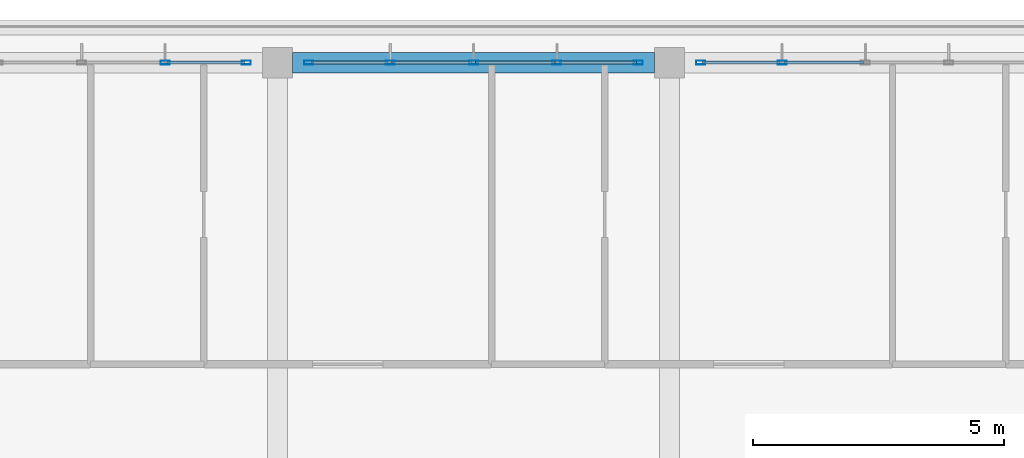
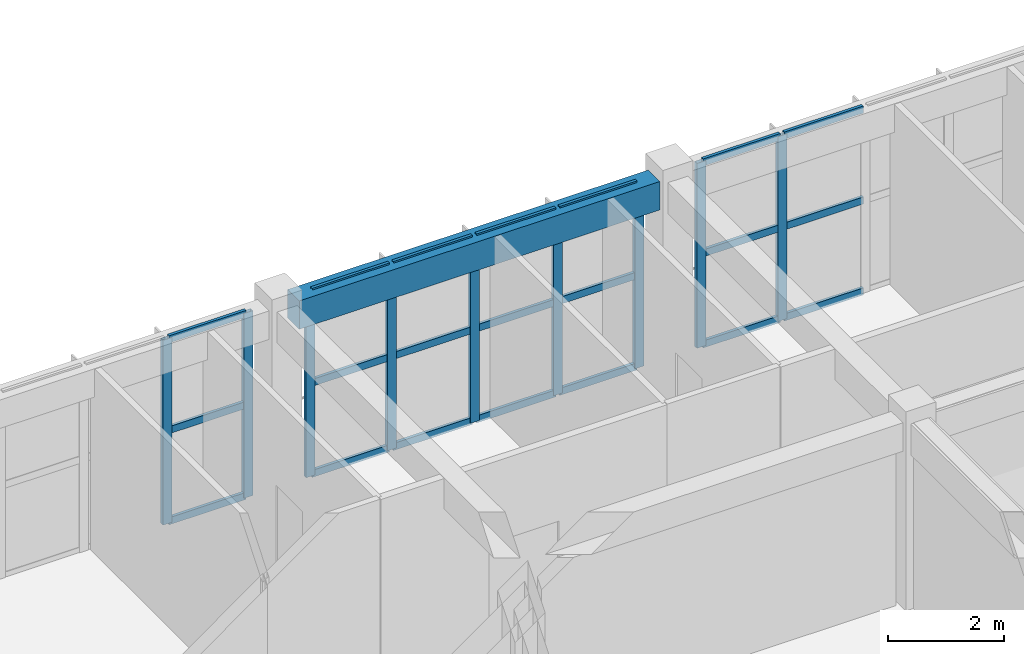
# One storey, part 26 of 56: 30 members, 1 beam, 3 elements without a shape of their own.
"""IFC4 building model written with IfcOpenShell, lengths in metres."""

from ifc_helpers import new_model, si_unit, direction, frame, origin, origin_2d, place, context, subcontext, project, spatial, rectangle, hollow_rectangle, extrude, material, layer, layer_set, material_profile, profile_set, type_object, element, aggregate, save


model = new_model("IFC4")

# Units and contexts
model_context = context("Model", 3, precision=1e-05, world=origin(), true_north=direction((0.0, 1.0)))
body_context = subcontext(model_context, "Body", "Model", "MODEL_VIEW")
ifc_project = project(units=[si_unit("LENGTHUNIT", "METRE"), si_unit("AREAUNIT", "SQUARE_METRE"), si_unit("VOLUMEUNIT", "CUBIC_METRE"), si_unit("PLANEANGLEUNIT", "RADIAN"), si_unit("MASSUNIT", "GRAM", prefix="KILO")], contexts=[model_context])

# Site, building, storey
site_placement = place(None, origin())
site = spatial("IfcSite", under=ifc_project, at=site_placement, CompositionType="ELEMENT")
building_placement = place(site_placement, origin())
building = spatial("IfcBuilding", under=site, at=building_placement, Name="Zizhar Promenade General Hospital", CompositionType="ELEMENT")
storey_placement = place(building_placement, frame((0.0, 0.0, 26.39990234375)))
storey = spatial("IfcBuildingStorey", under=building, at=storey_placement, Name="L06", CompositionType="ELEMENT", Elevation=26.39990234375)

# Beam
ifc_material_1 = material(Name="Concrete C35/45", Category="concrete")
ifc_material_profile_1 = material_profile(ifc_material_1, rectangle(XDim=0.39990234375, YDim=0.60009765625, at=origin_2d()))
ifc_profile_set_1 = profile_set([ifc_material_profile_1], Name="Concrete C35/45")
beam_type = type_object("IfcBeamType", Name="BM-RC-400x600", PredefinedType="JOIST", material=ifc_profile_set_1)
beam_placement = place(storey_placement, frame((86.10009765625, 25.199951171875, 3.610107421875), z_axis=(1.0, 0.0, 0.0), x_axis=(0.0, 1.0, 0.0)))
element("IfcBeam", 1, at=beam_placement, inside=storey, type_object=beam_type, Name="Grid Beam X L06 (11-3)", PredefinedType="JOIST", context=body_context, shape_type="SweptSolid", body=[
    extrude(rectangle(XDim=0.39990234375, YDim=0.60009765625, at=origin_2d()), origin(), (0.0, 0.0, 1.0), 7.199951171875),
])

# Curtain wall, members
ifc_material_2 = material(Name="Anodised aluminium 6063-T6 and low-E glass", Category="aluminium")
ifc_layer = layer(ifc_material_2, 0.159912109375)
ifc_layer_set = layer_set([ifc_layer], Name="Anodised aluminium 6063-T6 and low-E glass")
curtain_wall_type = type_object("IfcCurtainWallType", Name="CW-WARD-RIB", PredefinedType="NOTDEFINED", material=ifc_layer_set)
curtain_wall_1_placement = place(storey_placement, origin())
curtain_wall_1 = element("IfcCurtainWall", 2, at=curtain_wall_1_placement, inside=storey, type_object=curtain_wall_type, Name="Ward Ribbon Curtain Wall L06-8-6", PredefinedType="NOTDEFINED")
ifc_material_3 = material(Name="Anodised aluminium 6063-T6", Category="aluminium")
ifc_material_profile_2 = material_profile(ifc_material_3, hollow_rectangle(XDim=0.080078125, YDim=0.179931640625, WallThickness=0.0048828125, at=origin_2d()))
ifc_profile_set_2 = profile_set([ifc_material_profile_2], Name="Anodised aluminium 6063-T6")
member_type_1 = type_object("IfcMemberType", Name="CWM-ALU-180x80", PredefinedType="MULLION", material=ifc_profile_set_2)
member_1_placement = place(storey_placement, frame((83.56005859375, 25.199951171875, 0.0), z_axis=(0.0, 0.0, 1.0), x_axis=(0.0, 1.0, 0.0)))
member_1 = element("IfcMember", 3, at=member_1_placement, type_object=member_type_1, Name="CW-13 mullion 4", PredefinedType="MULLION", context=body_context, shape_type="SweptSolid", body=[
    extrude(hollow_rectangle(XDim=0.080078125, YDim=0.179931640625, WallThickness=0.0048828125, at=origin_2d()), origin(), (0.0, 0.0, 1.0), 3.900146484375),
])
member_2_placement = place(storey_placement, frame((85.179931640625, 25.199951171875, 0.0), z_axis=(0.0, 0.0, 1.0), x_axis=(0.0, 1.0, 0.0)))
member_2 = element("IfcMember", 4, at=member_2_placement, type_object=member_type_1, Name="CW-13 mullion 5", PredefinedType="MULLION", context=body_context, shape_type="SweptSolid", body=[
    extrude(hollow_rectangle(XDim=0.080078125, YDim=0.179931640625, WallThickness=0.0048828125, at=origin_2d()), origin(), (0.0, 0.0, 1.0), 3.900146484375),
])

curtain_wall_2_placement = place(storey_placement, origin())
curtain_wall_2 = element("IfcCurtainWall", 5, at=curtain_wall_2_placement, inside=storey, type_object=curtain_wall_type, Name="Ward Ribbon Curtain Wall L06-8-7", PredefinedType="NOTDEFINED")
member_3_placement = place(storey_placement, frame((86.419921875, 25.199951171875, 0.0), z_axis=(0.0, 0.0, 1.0), x_axis=(0.0, 1.0, 0.0)))
member_3 = element("IfcMember", 6, at=member_3_placement, type_object=member_type_1, Name="CW-13 mullion 1", PredefinedType="MULLION", context=body_context, shape_type="SweptSolid", body=[
    extrude(hollow_rectangle(XDim=0.080078125, YDim=0.179931640625, WallThickness=0.0048828125, at=origin_2d()), origin(), (0.0, 0.0, 1.0), 3.900146484375),
])
member_4_placement = place(storey_placement, frame((88.0400390625, 25.199951171875, 0.0), z_axis=(0.0, 0.0, 1.0), x_axis=(0.0, 1.0, 0.0)))
member_4 = element("IfcMember", 7, at=member_4_placement, type_object=member_type_1, Name="CW-13 mullion 2", PredefinedType="MULLION", context=body_context, shape_type="SweptSolid", body=[
    extrude(hollow_rectangle(XDim=0.080078125, YDim=0.179931640625, WallThickness=0.0048828125, at=origin_2d()), origin(), (0.0, 0.0, 1.0), 3.900146484375),
])
member_5_placement = place(storey_placement, frame((89.699951171875, 25.199951171875, 0.0), z_axis=(0.0, 0.0, 1.0), x_axis=(0.0, 1.0, 0.0)))
member_5 = element("IfcMember", 8, at=member_5_placement, type_object=member_type_1, Name="CW-13 mullion 3", PredefinedType="MULLION", context=body_context, shape_type="SweptSolid", body=[
    extrude(hollow_rectangle(XDim=0.080078125, YDim=0.179931640625, WallThickness=0.0048828125, at=origin_2d()), origin(), (0.0, 0.0, 1.0), 3.900146484375),
])
member_6_placement = place(storey_placement, frame((91.360107421875, 25.199951171875, 0.0), z_axis=(0.0, 0.0, 1.0), x_axis=(0.0, 1.0, 0.0)))
member_6 = element("IfcMember", 9, at=member_6_placement, type_object=member_type_1, Name="CW-13 mullion 4", PredefinedType="MULLION", context=body_context, shape_type="SweptSolid", body=[
    extrude(hollow_rectangle(XDim=0.080078125, YDim=0.179931640625, WallThickness=0.0048828125, at=origin_2d()), origin(), (0.0, 0.0, 1.0), 3.900146484375),
])
member_7_placement = place(storey_placement, frame((92.97998046875, 25.199951171875, 0.0), z_axis=(0.0, 0.0, 1.0), x_axis=(0.0, 1.0, 0.0)))
member_7 = element("IfcMember", 10, at=member_7_placement, type_object=member_type_1, Name="CW-13 mullion 5", PredefinedType="MULLION", context=body_context, shape_type="SweptSolid", body=[
    extrude(hollow_rectangle(XDim=0.080078125, YDim=0.179931640625, WallThickness=0.0048828125, at=origin_2d()), origin(), (0.0, 0.0, 1.0), 3.900146484375),
])

curtain_wall_3_placement = place(storey_placement, origin())
curtain_wall_3 = element("IfcCurtainWall", 11, at=curtain_wall_3_placement, inside=storey, type_object=curtain_wall_type, Name="Ward Ribbon Curtain Wall L06-8-8", PredefinedType="NOTDEFINED")
member_8_placement = place(storey_placement, frame((94.219970703125, 25.199951171875, 0.0), z_axis=(0.0, 0.0, 1.0), x_axis=(0.0, 1.0, 0.0)))
member_8 = element("IfcMember", 12, at=member_8_placement, type_object=member_type_1, Name="CW-13 mullion 1", PredefinedType="MULLION", context=body_context, shape_type="SweptSolid", body=[
    extrude(hollow_rectangle(XDim=0.080078125, YDim=0.179931640625, WallThickness=0.0048828125, at=origin_2d()), origin(), (0.0, 0.0, 1.0), 3.900146484375),
])
member_9_placement = place(storey_placement, frame((95.840087890625, 25.199951171875, 0.0), z_axis=(0.0, 0.0, 1.0), x_axis=(0.0, 1.0, 0.0)))
member_9 = element("IfcMember", 13, at=member_9_placement, type_object=member_type_1, Name="CW-13 mullion 2", PredefinedType="MULLION", context=body_context, shape_type="SweptSolid", body=[
    extrude(hollow_rectangle(XDim=0.080078125, YDim=0.179931640625, WallThickness=0.0048828125, at=origin_2d()), origin(), (0.0, 0.0, 1.0), 3.900146484375),
])

# Member
ifc_material_4 = material(Name="Anodised aluminium 6063-T6", Category="aluminium")
ifc_material_profile_3 = material_profile(ifc_material_4, hollow_rectangle(XDim=0.06005859375, YDim=0.14990234375, WallThickness=0.00390625, at=origin_2d()))
ifc_profile_set_3 = profile_set([ifc_material_profile_3], Name="Anodised aluminium 6063-T6")
member_type_2 = type_object("IfcMemberType", Name="CWT-ALU-150x60", PredefinedType="USERDEFINED", material=ifc_profile_set_3)
member_10_placement = place(storey_placement, frame((83.60009765625, 25.199951171875, 0.030029296875), z_axis=(1.0, 0.0, 0.0), x_axis=(0.0, 1.0, 0.0)))
member_10 = element("IfcMember", 14, at=member_10_placement, type_object=member_type_2, Name="CW-13 transom 4.1", ObjectType="TRANSOM", PredefinedType="USERDEFINED", context=body_context, shape_type="SweptSolid", body=[
    extrude(hollow_rectangle(XDim=0.06005859375, YDim=0.14990234375, WallThickness=0.00390625, at=origin_2d()), origin(), (0.0, 0.0, 1.0), 1.539794921875),
])

member_11_placement = place(storey_placement, frame((83.60009765625, 25.199951171875, 1.9501953125), z_axis=(1.0, 0.0, 0.0), x_axis=(0.0, 1.0, 0.0)))
member_11 = element("IfcMember", 15, at=member_11_placement, type_object=member_type_2, Name="CW-13 transom 4.2", ObjectType="TRANSOM", PredefinedType="USERDEFINED", context=body_context, shape_type="SweptSolid", body=[
    extrude(hollow_rectangle(XDim=0.06005859375, YDim=0.14990234375, WallThickness=0.00390625, at=origin_2d()), origin(), (0.0, 0.0, 1.0), 1.539794921875),
])

member_12_placement = place(storey_placement, frame((83.60009765625, 25.199951171875, 3.8701171875), z_axis=(1.0, 0.0, 0.0), x_axis=(0.0, 1.0, 0.0)))
member_12 = element("IfcMember", 16, at=member_12_placement, type_object=member_type_2, Name="CW-13 transom 4.3", ObjectType="TRANSOM", PredefinedType="USERDEFINED", context=body_context, shape_type="SweptSolid", body=[
    extrude(hollow_rectangle(XDim=0.06005859375, YDim=0.14990234375, WallThickness=0.00390625, at=origin_2d()), origin(), (0.0, 0.0, 1.0), 1.539794921875),
])

aggregate(curtain_wall_1, [member_1, member_2, member_10, member_11, member_12])

member_13_placement = place(storey_placement, frame((86.4599609375, 25.199951171875, 0.030029296875), z_axis=(1.0, 0.0, 0.0), x_axis=(0.0, 1.0, 0.0)))
member_13 = element("IfcMember", 17, at=member_13_placement, type_object=member_type_2, Name="CW-13 transom 1.1", ObjectType="TRANSOM", PredefinedType="USERDEFINED", context=body_context, shape_type="SweptSolid", body=[
    extrude(hollow_rectangle(XDim=0.06005859375, YDim=0.14990234375, WallThickness=0.00390625, at=origin_2d()), origin(), (0.0, 0.0, 1.0), 1.5400390625),
])

member_14_placement = place(storey_placement, frame((86.4599609375, 25.199951171875, 1.9501953125), z_axis=(1.0, 0.0, 0.0), x_axis=(0.0, 1.0, 0.0)))
member_14 = element("IfcMember", 18, at=member_14_placement, type_object=member_type_2, Name="CW-13 transom 1.2", ObjectType="TRANSOM", PredefinedType="USERDEFINED", context=body_context, shape_type="SweptSolid", body=[
    extrude(hollow_rectangle(XDim=0.06005859375, YDim=0.14990234375, WallThickness=0.00390625, at=origin_2d()), origin(), (0.0, 0.0, 1.0), 1.5400390625),
])

member_15_placement = place(storey_placement, frame((86.4599609375, 25.199951171875, 3.8701171875), z_axis=(1.0, 0.0, 0.0), x_axis=(0.0, 1.0, 0.0)))
member_15 = element("IfcMember", 19, at=member_15_placement, type_object=member_type_2, Name="CW-13 transom 1.3", ObjectType="TRANSOM", PredefinedType="USERDEFINED", context=body_context, shape_type="SweptSolid", body=[
    extrude(hollow_rectangle(XDim=0.06005859375, YDim=0.14990234375, WallThickness=0.00390625, at=origin_2d()), origin(), (0.0, 0.0, 1.0), 1.5400390625),
])

member_16_placement = place(storey_placement, frame((88.080078125, 25.199951171875, 0.030029296875), z_axis=(1.0, 0.0, 0.0), x_axis=(0.0, 1.0, 0.0)))
member_16 = element("IfcMember", 20, at=member_16_placement, type_object=member_type_2, Name="CW-13 transom 2.1", ObjectType="TRANSOM", PredefinedType="USERDEFINED", context=body_context, shape_type="SweptSolid", body=[
    extrude(hollow_rectangle(XDim=0.06005859375, YDim=0.14990234375, WallThickness=0.00390625, at=origin_2d()), origin(), (0.0, 0.0, 1.0), 1.579833984375),
])

member_17_placement = place(storey_placement, frame((88.080078125, 25.199951171875, 1.9501953125), z_axis=(1.0, 0.0, 0.0), x_axis=(0.0, 1.0, 0.0)))
member_17 = element("IfcMember", 21, at=member_17_placement, type_object=member_type_2, Name="CW-13 transom 2.2", ObjectType="TRANSOM", PredefinedType="USERDEFINED", context=body_context, shape_type="SweptSolid", body=[
    extrude(hollow_rectangle(XDim=0.06005859375, YDim=0.14990234375, WallThickness=0.00390625, at=origin_2d()), origin(), (0.0, 0.0, 1.0), 1.579833984375),
])

member_18_placement = place(storey_placement, frame((88.080078125, 25.199951171875, 3.8701171875), z_axis=(1.0, 0.0, 0.0), x_axis=(0.0, 1.0, 0.0)))
member_18 = element("IfcMember", 22, at=member_18_placement, type_object=member_type_2, Name="CW-13 transom 2.3", ObjectType="TRANSOM", PredefinedType="USERDEFINED", context=body_context, shape_type="SweptSolid", body=[
    extrude(hollow_rectangle(XDim=0.06005859375, YDim=0.14990234375, WallThickness=0.00390625, at=origin_2d()), origin(), (0.0, 0.0, 1.0), 1.579833984375),
])

member_19_placement = place(storey_placement, frame((89.739990234375, 25.199951171875, 0.030029296875), z_axis=(1.0, 0.0, 0.0), x_axis=(0.0, 1.0, 0.0)))
member_19 = element("IfcMember", 23, at=member_19_placement, type_object=member_type_2, Name="CW-13 transom 3.1", ObjectType="TRANSOM", PredefinedType="USERDEFINED", context=body_context, shape_type="SweptSolid", body=[
    extrude(hollow_rectangle(XDim=0.06005859375, YDim=0.14990234375, WallThickness=0.00390625, at=origin_2d()), origin(), (0.0, 0.0, 1.0), 1.580078125),
])

member_20_placement = place(storey_placement, frame((89.739990234375, 25.199951171875, 1.9501953125), z_axis=(1.0, 0.0, 0.0), x_axis=(0.0, 1.0, 0.0)))
member_20 = element("IfcMember", 24, at=member_20_placement, type_object=member_type_2, Name="CW-13 transom 3.2", ObjectType="TRANSOM", PredefinedType="USERDEFINED", context=body_context, shape_type="SweptSolid", body=[
    extrude(hollow_rectangle(XDim=0.06005859375, YDim=0.14990234375, WallThickness=0.00390625, at=origin_2d()), origin(), (0.0, 0.0, 1.0), 1.580078125),
])

member_21_placement = place(storey_placement, frame((89.739990234375, 25.199951171875, 3.8701171875), z_axis=(1.0, 0.0, 0.0), x_axis=(0.0, 1.0, 0.0)))
member_21 = element("IfcMember", 25, at=member_21_placement, type_object=member_type_2, Name="CW-13 transom 3.3", ObjectType="TRANSOM", PredefinedType="USERDEFINED", context=body_context, shape_type="SweptSolid", body=[
    extrude(hollow_rectangle(XDim=0.06005859375, YDim=0.14990234375, WallThickness=0.00390625, at=origin_2d()), origin(), (0.0, 0.0, 1.0), 1.580078125),
])

member_22_placement = place(storey_placement, frame((91.39990234375, 25.199951171875, 0.030029296875), z_axis=(1.0, 0.0, 0.0), x_axis=(0.0, 1.0, 0.0)))
member_22 = element("IfcMember", 26, at=member_22_placement, type_object=member_type_2, Name="CW-13 transom 4.1", ObjectType="TRANSOM", PredefinedType="USERDEFINED", context=body_context, shape_type="SweptSolid", body=[
    extrude(hollow_rectangle(XDim=0.06005859375, YDim=0.14990234375, WallThickness=0.00390625, at=origin_2d()), origin(), (0.0, 0.0, 1.0), 1.5400390625),
])

member_23_placement = place(storey_placement, frame((91.39990234375, 25.199951171875, 1.9501953125), z_axis=(1.0, 0.0, 0.0), x_axis=(0.0, 1.0, 0.0)))
member_23 = element("IfcMember", 27, at=member_23_placement, type_object=member_type_2, Name="CW-13 transom 4.2", ObjectType="TRANSOM", PredefinedType="USERDEFINED", context=body_context, shape_type="SweptSolid", body=[
    extrude(hollow_rectangle(XDim=0.06005859375, YDim=0.14990234375, WallThickness=0.00390625, at=origin_2d()), origin(), (0.0, 0.0, 1.0), 1.5400390625),
])

member_24_placement = place(storey_placement, frame((91.39990234375, 25.199951171875, 3.8701171875), z_axis=(1.0, 0.0, 0.0), x_axis=(0.0, 1.0, 0.0)))
member_24 = element("IfcMember", 28, at=member_24_placement, type_object=member_type_2, Name="CW-13 transom 4.3", ObjectType="TRANSOM", PredefinedType="USERDEFINED", context=body_context, shape_type="SweptSolid", body=[
    extrude(hollow_rectangle(XDim=0.06005859375, YDim=0.14990234375, WallThickness=0.00390625, at=origin_2d()), origin(), (0.0, 0.0, 1.0), 1.5400390625),
])

aggregate(curtain_wall_2, [member_3, member_4, member_5, member_6, member_7, member_13, member_14, member_15, member_16, member_17, member_18, member_19, member_20, member_21, member_22, member_23, member_24])

member_25_placement = place(storey_placement, frame((94.260009765625, 25.199951171875, 0.030029296875), z_axis=(1.0, 0.0, 0.0), x_axis=(0.0, 1.0, 0.0)))
member_25 = element("IfcMember", 29, at=member_25_placement, type_object=member_type_2, Name="CW-13 transom 1.1", ObjectType="TRANSOM", PredefinedType="USERDEFINED", context=body_context, shape_type="SweptSolid", body=[
    extrude(hollow_rectangle(XDim=0.06005859375, YDim=0.14990234375, WallThickness=0.00390625, at=origin_2d()), origin(), (0.0, 0.0, 1.0), 1.5400390625),
])

member_26_placement = place(storey_placement, frame((94.260009765625, 25.199951171875, 1.9501953125), z_axis=(1.0, 0.0, 0.0), x_axis=(0.0, 1.0, 0.0)))
member_26 = element("IfcMember", 30, at=member_26_placement, type_object=member_type_2, Name="CW-13 transom 1.2", ObjectType="TRANSOM", PredefinedType="USERDEFINED", context=body_context, shape_type="SweptSolid", body=[
    extrude(hollow_rectangle(XDim=0.06005859375, YDim=0.14990234375, WallThickness=0.00390625, at=origin_2d()), origin(), (0.0, 0.0, 1.0), 1.5400390625),
])

member_27_placement = place(storey_placement, frame((94.260009765625, 25.199951171875, 3.8701171875), z_axis=(1.0, 0.0, 0.0), x_axis=(0.0, 1.0, 0.0)))
member_27 = element("IfcMember", 31, at=member_27_placement, type_object=member_type_2, Name="CW-13 transom 1.3", ObjectType="TRANSOM", PredefinedType="USERDEFINED", context=body_context, shape_type="SweptSolid", body=[
    extrude(hollow_rectangle(XDim=0.06005859375, YDim=0.14990234375, WallThickness=0.00390625, at=origin_2d()), origin(), (0.0, 0.0, 1.0), 1.5400390625),
])

member_28_placement = place(storey_placement, frame((95.8798828125, 25.199951171875, 0.030029296875), z_axis=(1.0, 0.0, 0.0), x_axis=(0.0, 1.0, 0.0)))
member_28 = element("IfcMember", 32, at=member_28_placement, type_object=member_type_2, Name="CW-13 transom 2.1", ObjectType="TRANSOM", PredefinedType="USERDEFINED", context=body_context, shape_type="SweptSolid", body=[
    extrude(hollow_rectangle(XDim=0.06005859375, YDim=0.14990234375, WallThickness=0.00390625, at=origin_2d()), origin(), (0.0, 0.0, 1.0), 1.580078125),
])

member_29_placement = place(storey_placement, frame((95.8798828125, 25.199951171875, 1.9501953125), z_axis=(1.0, 0.0, 0.0), x_axis=(0.0, 1.0, 0.0)))
member_29 = element("IfcMember", 33, at=member_29_placement, type_object=member_type_2, Name="CW-13 transom 2.2", ObjectType="TRANSOM", PredefinedType="USERDEFINED", context=body_context, shape_type="SweptSolid", body=[
    extrude(hollow_rectangle(XDim=0.06005859375, YDim=0.14990234375, WallThickness=0.00390625, at=origin_2d()), origin(), (0.0, 0.0, 1.0), 1.580078125),
])

member_30_placement = place(storey_placement, frame((95.8798828125, 25.199951171875, 3.8701171875), z_axis=(1.0, 0.0, 0.0), x_axis=(0.0, 1.0, 0.0)))
member_30 = element("IfcMember", 34, at=member_30_placement, type_object=member_type_2, Name="CW-13 transom 2.3", ObjectType="TRANSOM", PredefinedType="USERDEFINED", context=body_context, shape_type="SweptSolid", body=[
    extrude(hollow_rectangle(XDim=0.06005859375, YDim=0.14990234375, WallThickness=0.00390625, at=origin_2d()), origin(), (0.0, 0.0, 1.0), 1.580078125),
])

aggregate(curtain_wall_3, [member_8, member_9, member_25, member_26, member_27, member_28, member_29, member_30])

save(model, "model.ifc")
